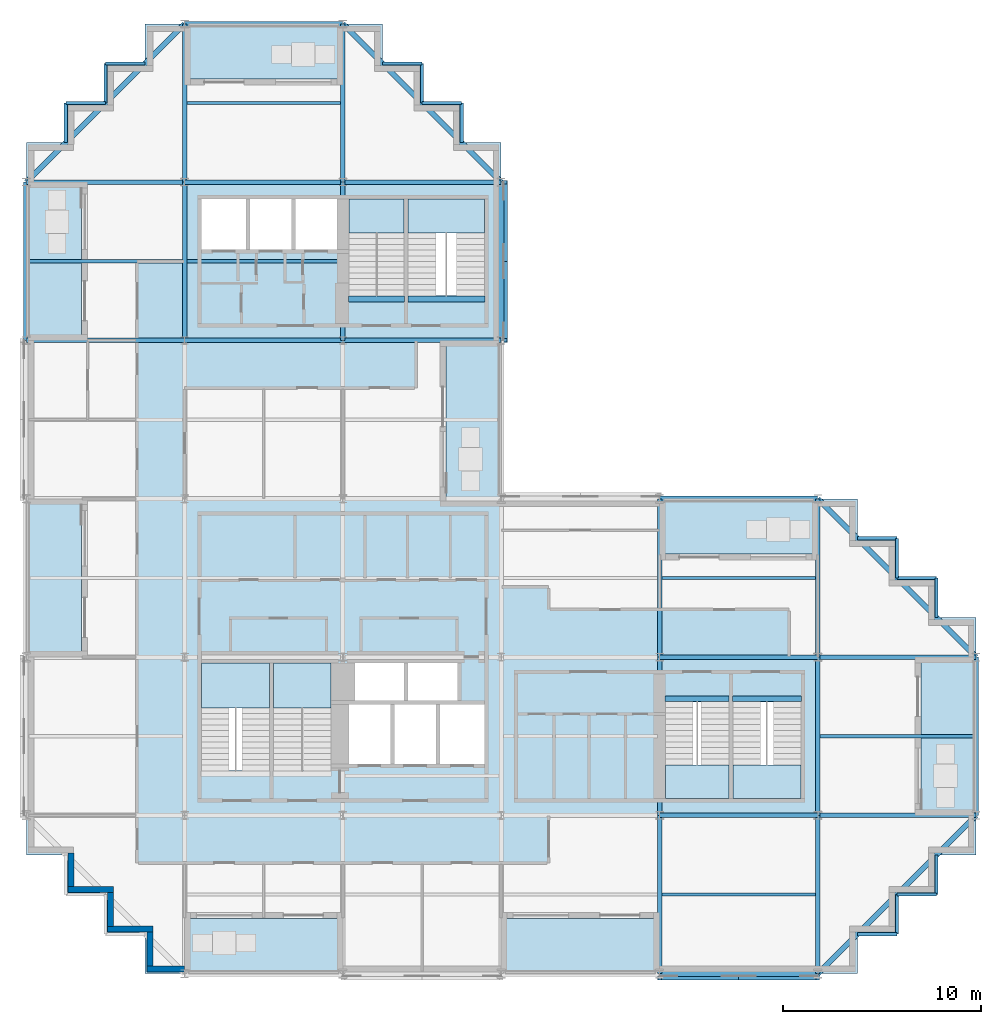
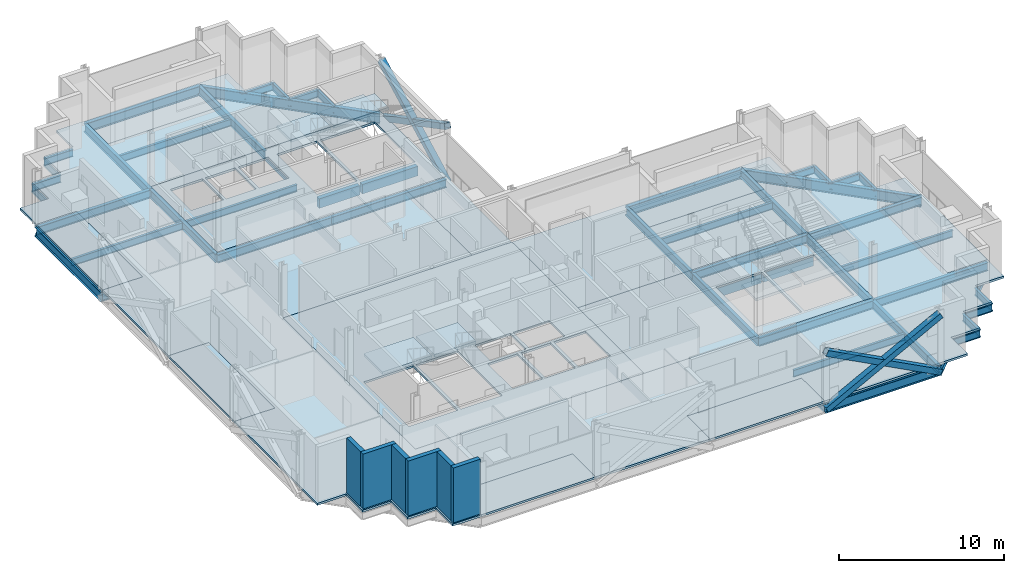
# One storey, part 3 of 12: 56 beams, 18 slabs, 6 walls, 4 members, 6 elements without a shape of their own.
"""IFC4 building model written with IfcOpenShell, lengths in metres."""

from ifc_helpers import new_model, si_unit, direction, frame, frame_2d, origin, origin_2d, place, context, subcontext, project, spatial, polyline, rectangle, hollow_rectangle, i_section, outline, extrude, material, layer, layer_set, material_profile, profile_set, type_object, element, aggregate, save


model = new_model("IFC4")

# Units and contexts
model_context = context("Model", 3, precision=1e-05, world=origin(), true_north=direction((0.0, 1.0)))
body_context = subcontext(model_context, "Body", "Model", "MODEL_VIEW")
ifc_project = project(units=[si_unit("LENGTHUNIT", "METRE"), si_unit("AREAUNIT", "SQUARE_METRE"), si_unit("VOLUMEUNIT", "CUBIC_METRE"), si_unit("PLANEANGLEUNIT", "RADIAN"), si_unit("MASSUNIT", "GRAM", prefix="KILO")], contexts=[model_context])

# Site, building, storey
site_placement = place(None, origin())
site = spatial("IfcSite", under=ifc_project, at=site_placement, CompositionType="ELEMENT")
building_placement = place(site_placement, origin())
building = spatial("IfcBuilding", under=site, at=building_placement, Name="Immortelle Media Tower", CompositionType="ELEMENT")
storey_placement = place(building_placement, frame((0.0, 0.0, 124.199951171875)))
storey = spatial("IfcBuildingStorey", under=building, at=storey_placement, Name="L24", CompositionType="ELEMENT", Elevation=124.199951171875)

# Members
ifc_material_1 = material(Name="Steel ASTM A500 Gr C", Category="steel")
ifc_material_profile_1 = material_profile(ifc_material_1, hollow_rectangle(XDim=0.406005859375, YDim=0.406005859375, WallThickness=0.011962890625, at=origin_2d()), Name="HSS16x16x1/2 brace")
ifc_profile_set_1 = profile_set([ifc_material_profile_1], Name="Steel ASTM A500 Gr C")
member_type = type_object("IfcMemberType", Name="HSS16x16x1/2 brace", PredefinedType="BRACE", material=ifc_profile_set_1)
for number, where, z_axis, x_axis, name in (
    (1, (32.0, -0.113037109375, -0.496337890625), (0.885400126936, 0.0, 0.464829662588), (0.0, 1.0, 0.0), "Brace A/5-6 A"),
    (2, (32.0, -0.113037109375, 3.70361328125), (0.885400126936, 0.0, -0.464829662588), (0.0, 1.0, 0.0), "Brace A/5-6 B"),
    (3, (24.113037109375, 32.0, -0.496337890625), (0.0, 0.885400126936, 0.464829662588), (-1.0, 0.0, 0.0), "Brace 4/E-F A"),
    (4, (24.113037109375, 32.0, 3.70361328125), (0.0, 0.885400126936, -0.464829662588), (-1.0, 0.0, 0.0), "Brace 4/E-F B"),
):
    element("IfcMember", number, at=place(storey_placement, frame(where, z_axis=z_axis, x_axis=x_axis)), inside=storey, type_object=member_type, Name=name, PredefinedType="BRACE", context=body_context, shape_type="SweptSolid", body=[
        extrude(hollow_rectangle(XDim=0.406005859375, YDim=0.406005859375, WallThickness=0.011962890625, at=origin_2d()), origin(), (0.0, 0.0, 1.0), 9.035400390625),
    ])

# Beams
ifc_material_2 = material(Name="Concrete C50/60", Category="concrete")
ifc_material_profile_2 = material_profile(ifc_material_2, rectangle(XDim=0.300048828125, YDim=0.699951171875, at=origin_2d()), Name="RC 300x700")
ifc_profile_set_2 = profile_set([ifc_material_profile_2], Name="Concrete C50/60")
beam_type_1 = type_object("IfcBeamType", Name="Stair trimmer beam 300 x 700", PredefinedType="BEAM", material=ifc_profile_set_2)
beam_1_placement = place(storey_placement, frame((32.280029296875, 13.89501953125, -0.5), z_axis=(1.0, 0.0, 0.0), x_axis=(0.0, 1.0, 0.0)))
element("IfcBeam", 5, at=beam_1_placement, inside=storey, type_object=beam_type_1, Name="Stair trimmer beam SE1", PredefinedType="BEAM", context=body_context, shape_type="SweptSolid", body=[
    extrude(rectangle(XDim=0.300048828125, YDim=0.699951171875, at=origin_2d()), origin(), (0.0, 0.0, 1.0), 3.239990234375),
])
beam_2_placement = place(storey_placement, frame((35.679931640625, 13.89501953125, -0.5), z_axis=(1.0, 0.0, 0.0), x_axis=(0.0, 1.0, 0.0)))
element("IfcBeam", 6, at=beam_2_placement, inside=storey, type_object=beam_type_1, Name="Stair trimmer beam SE2", PredefinedType="BEAM", context=body_context, shape_type="SweptSolid", body=[
    extrude(rectangle(XDim=0.300048828125, YDim=0.699951171875, at=origin_2d()), origin(), (0.0, 0.0, 1.0), 3.489990234375),
])
beam_3_placement = place(storey_placement, frame((16.280029296875, 34.10498046875, -0.5), z_axis=(1.0, 0.0, 0.0), x_axis=(0.0, 1.0, 0.0)))
element("IfcBeam", 7, at=beam_3_placement, inside=storey, type_object=beam_type_1, Name="Stair trimmer beam NW1", PredefinedType="BEAM", context=body_context, shape_type="SweptSolid", body=[
    extrude(rectangle(XDim=0.300048828125, YDim=0.699951171875, at=origin_2d()), origin(), (0.0, 0.0, 1.0), 2.840087890625),
])
beam_4_placement = place(storey_placement, frame((19.280029296875, 34.10498046875, -0.5), z_axis=(1.0, 0.0, 0.0), x_axis=(0.0, 1.0, 0.0)))
element("IfcBeam", 8, at=beam_4_placement, inside=storey, type_object=beam_type_1, Name="Stair trimmer beam NW2", PredefinedType="BEAM", context=body_context, shape_type="SweptSolid", body=[
    extrude(rectangle(XDim=0.300048828125, YDim=0.699951171875, at=origin_2d()), origin(), (0.0, 0.0, 1.0), 3.889892578125),
])
ifc_material_3 = material(Name="Steel ASTM A992 Gr 50", Category="steel")
ifc_material_profile_3 = material_profile(ifc_material_3, i_section(OverallWidth=0.1650390625, OverallDepth=0.52587890625, WebThickness=0.009033203125, FlangeThickness=0.010986328125, at=origin_2d()), Name="W21x44")
ifc_profile_set_3 = profile_set([ifc_material_profile_3], Name="Steel ASTM A992 Gr 50")
beam_type_2 = type_object("IfcBeamType", Name="W21x44 secondary beam", PredefinedType="JOIST", material=ifc_profile_set_3)
beam_5_placement = place(storey_placement, frame((32.114501953125, 4.0, -0.412841796875), z_axis=(1.0, 0.0, 0.0), x_axis=(0.0, 1.0, 0.0)))
element("IfcBeam", 9, at=beam_5_placement, inside=storey, type_object=beam_type_2, Name="Beam A-B/5-6", PredefinedType="JOIST", context=body_context, shape_type="SweptSolid", body=[
    extrude(i_section(OverallWidth=0.1650390625, OverallDepth=0.52587890625, WebThickness=0.009033203125, FlangeThickness=0.010986328125, at=origin_2d()), origin(), (0.0, 0.0, 1.0), 7.77099609375),
])
beam_6_placement = place(storey_placement, frame((40.114501953125, 12.0, -0.412841796875), z_axis=(1.0, 0.0, 0.0), x_axis=(0.0, 1.0, 0.0)))
element("IfcBeam", 10, at=beam_6_placement, inside=storey, type_object=beam_type_2, Name="Beam B-C/6-7", PredefinedType="JOIST", context=body_context, shape_type="SweptSolid", body=[
    extrude(i_section(OverallWidth=0.1650390625, OverallDepth=0.52587890625, WebThickness=0.009033203125, FlangeThickness=0.010986328125, at=origin_2d()), origin(), (0.0, 0.0, 1.0), 7.757080078125),
])
beam_7_placement = place(storey_placement, frame((32.114501953125, 20.0, -0.412841796875), z_axis=(1.0, 0.0, 0.0), x_axis=(0.0, 1.0, 0.0)))
element("IfcBeam", 11, at=beam_7_placement, inside=storey, type_object=beam_type_2, Name="Beam C-D/5-6", PredefinedType="JOIST", context=body_context, shape_type="SweptSolid", body=[
    extrude(i_section(OverallWidth=0.1650390625, OverallDepth=0.52587890625, WebThickness=0.009033203125, FlangeThickness=0.010986328125, at=origin_2d()), origin(), (0.0, 0.0, 1.0), 7.77099609375),
])
beam_8_placement = place(storey_placement, frame((0.12841796875, 36.0, -0.412841796875), z_axis=(1.0, 0.0, 0.0), x_axis=(0.0, 1.0, 0.0)))
element("IfcBeam", 12, at=beam_8_placement, inside=storey, type_object=beam_type_2, Name="Beam E-F/1-2", PredefinedType="JOIST", context=body_context, shape_type="SweptSolid", body=[
    extrude(i_section(OverallWidth=0.1650390625, OverallDepth=0.52587890625, WebThickness=0.009033203125, FlangeThickness=0.010986328125, at=origin_2d()), origin(), (0.0, 0.0, 1.0), 7.757080078125),
])
for number, where, z_axis, x_axis, name in (
    (13, (8.114501953125, 36.0, -0.412841796875), (1.0, 0.0, 0.0), (0.0, 1.0, 0.0), "Beam E-F/2-3"),
    (14, (8.114501953125, 44.0, -0.412841796875), (1.0, 0.0, 0.0), (0.0, 1.0, 0.0), "Beam F-G/2-3"),
):
    element("IfcBeam", number, at=place(storey_placement, frame(where, z_axis=z_axis, x_axis=x_axis)), inside=storey, type_object=beam_type_2, Name=name, PredefinedType="JOIST", context=body_context, shape_type="SweptSolid", body=[
        extrude(i_section(OverallWidth=0.1650390625, OverallDepth=0.52587890625, WebThickness=0.009033203125, FlangeThickness=0.010986328125, at=origin_2d()), origin(), (0.0, 0.0, 1.0), 7.77099609375),
    ])
ifc_material_profile_4 = material_profile(ifc_material_3, i_section(OverallWidth=0.1650390625, OverallDepth=0.52587890625, WebThickness=0.009033203125, FlangeThickness=0.010986328125, at=origin_2d()), Name="W21x44")
ifc_profile_set_4 = profile_set([ifc_material_profile_4], Name="Steel ASTM A992 Gr 50")
beam_type_3 = type_object("IfcBeamType", Name="W21x44 serration edge beam", PredefinedType="SPANDREL", material=ifc_profile_set_4)
for number, where, z_axis, x_axis, name in (
    (15, (2.0, 42.0, -0.412841796875), (0.0, 1.0, 0.0), (-1.0, 0.0, 0.0), "Corner edge beam 1 at 1/G"),
    (16, (2.0, 44.0, -0.412841796875), (1.0, 0.0, 0.0), (0.0, 1.0, 0.0), "Corner edge beam 2 at 1/G"),
    (17, (4.0, 44.0, -0.412841796875), (0.0, 1.0, 0.0), (-1.0, 0.0, 0.0), "Corner edge beam 3 at 1/G"),
    (18, (4.0, 46.0, -0.412841796875), (1.0, 0.0, 0.0), (0.0, 1.0, 0.0), "Corner edge beam 4 at 1/G"),
    (19, (18.0, 46.0, -0.412841796875), (1.0, 0.0, 0.0), (0.0, 1.0, 0.0), "Corner edge beam 1 at 4/G"),
    (20, (20.0, 46.0, -0.412841796875), (0.0, -1.0, 0.0), (1.0, 0.0, 0.0), "Corner edge beam 2 at 4/G"),
    (21, (20.0, 44.0, -0.412841796875), (1.0, 0.0, 0.0), (0.0, 1.0, 0.0), "Corner edge beam 3 at 4/G"),
    (22, (22.0, 44.0, -0.412841796875), (0.0, -1.0, 0.0), (1.0, 0.0, 0.0), "Corner edge beam 4 at 4/G"),
    (23, (46.0, 6.0, -0.412841796875), (0.0, -1.0, 0.0), (1.0, 0.0, 0.0), "Corner edge beam 1 at 7/A"),
    (24, (46.0, 4.0, -0.412841796875), (-1.0, 0.0, 0.0), (0.0, -1.0, 0.0), "Corner edge beam 2 at 7/A"),
    (25, (44.0, 4.0, -0.412841796875), (0.0, -1.0, 0.0), (1.0, 0.0, 0.0), "Corner edge beam 3 at 7/A"),
    (26, (44.0, 2.0, -0.412841796875), (-1.0, 0.0, 0.0), (0.0, -1.0, 0.0), "Corner edge beam 4 at 7/A"),
    (27, (42.0, 22.0, -0.412841796875), (1.0, 0.0, 0.0), (0.0, 1.0, 0.0), "Corner edge beam 1 at 7/D"),
    (28, (44.0, 22.0, -0.412841796875), (0.0, -1.0, 0.0), (1.0, 0.0, 0.0), "Corner edge beam 2 at 7/D"),
    (29, (44.0, 20.0, -0.412841796875), (1.0, 0.0, 0.0), (0.0, 1.0, 0.0), "Corner edge beam 3 at 7/D"),
    (30, (46.0, 20.0, -0.412841796875), (0.0, -1.0, 0.0), (1.0, 0.0, 0.0), "Corner edge beam 4 at 7/D"),
):
    element("IfcBeam", number, at=place(storey_placement, frame(where, z_axis=z_axis, x_axis=x_axis)), inside=storey, type_object=beam_type_3, Name=name, PredefinedType="SPANDREL", context=body_context, shape_type="SweptSolid", body=[
        extrude(i_section(OverallWidth=0.1650390625, OverallDepth=0.52587890625, WebThickness=0.009033203125, FlangeThickness=0.010986328125, at=origin_2d()), origin(), (0.0, 0.0, 1.0), 2.0),
    ])
ifc_material_profile_5 = material_profile(ifc_material_3, i_section(OverallWidth=0.22900390625, OverallDepth=0.612060546875, WebThickness=0.011962890625, FlangeThickness=0.02001953125, at=origin_2d()), Name="W24x84")
ifc_profile_set_5 = profile_set([ifc_material_profile_5], Name="Steel ASTM A992 Gr 50")
beam_type_4 = type_object("IfcBeamType", Name="W24x84 girder", PredefinedType="BEAM", material=ifc_profile_set_5)
for number, where, z_axis, x_axis, name in (
    (31, (0.0, 32.0, -0.4560546875), (1.0, 0.0, 0.0), (0.0, 1.0, 0.0), "Girder E/1-2"),
    (32, (0.0, 40.0, -0.4560546875), (1.0, 0.0, 0.0), (0.0, 1.0, 0.0), "Girder F/1-2"),
    (33, (8.0, 32.0, -0.4560546875), (1.0, 0.0, 0.0), (0.0, 1.0, 0.0), "Girder E/2-3"),
    (34, (8.0, 32.0, -0.4560546875), (0.0, 1.0, 0.0), (-1.0, 0.0, 0.0), "Girder 2/E-F"),
    (35, (8.0, 40.0, -0.4560546875), (1.0, 0.0, 0.0), (0.0, 1.0, 0.0), "Girder F/2-3"),
    (36, (8.0, 40.0, -0.4560546875), (0.0, 1.0, 0.0), (-1.0, 0.0, 0.0), "Girder 2/F-G"),
    (37, (16.0, 32.0, -0.4560546875), (1.0, 0.0, 0.0), (0.0, 1.0, 0.0), "Girder E/3-4"),
    (38, (16.0, 32.0, -0.4560546875), (0.0, 1.0, 0.0), (-1.0, 0.0, 0.0), "Girder 3/E-F"),
    (39, (16.0, 40.0, -0.4560546875), (1.0, 0.0, 0.0), (0.0, 1.0, 0.0), "Girder F/3-4"),
    (40, (16.0, 40.0, -0.4560546875), (0.0, 1.0, 0.0), (-1.0, 0.0, 0.0), "Girder 3/F-G"),
    (41, (32.0, 0.0, -0.4560546875), (0.0, 1.0, 0.0), (-1.0, 0.0, 0.0), "Girder 5/A-B"),
    (42, (32.0, 8.0, -0.4560546875), (1.0, 0.0, 0.0), (0.0, 1.0, 0.0), "Girder B/5-6"),
    (43, (32.0, 8.0, -0.4560546875), (0.0, 1.0, 0.0), (-1.0, 0.0, 0.0), "Girder 5/B-C"),
    (44, (32.0, 16.0, -0.4560546875), (1.0, 0.0, 0.0), (0.0, 1.0, 0.0), "Girder C/5-6"),
    (45, (32.0, 16.0, -0.4560546875), (0.0, 1.0, 0.0), (-1.0, 0.0, 0.0), "Girder 5/C-D"),
    (46, (40.0, 0.0, -0.4560546875), (0.0, 1.0, 0.0), (-1.0, 0.0, 0.0), "Girder 6/A-B"),
    (47, (40.0, 8.0, -0.4560546875), (1.0, 0.0, 0.0), (0.0, 1.0, 0.0), "Girder B/6-7"),
    (48, (40.0, 8.0, -0.4560546875), (0.0, 1.0, 0.0), (-1.0, 0.0, 0.0), "Girder 6/B-C"),
    (49, (40.0, 16.0, -0.4560546875), (1.0, 0.0, 0.0), (0.0, 1.0, 0.0), "Girder C/6-7"),
    (50, (40.0, 16.0, -0.4560546875), (0.0, 1.0, 0.0), (-1.0, 0.0, 0.0), "Girder 6/C-D"),
):
    element("IfcBeam", number, at=place(storey_placement, frame(where, z_axis=z_axis, x_axis=x_axis)), inside=storey, type_object=beam_type_4, Name=name, PredefinedType="BEAM", context=body_context, shape_type="SweptSolid", body=[
        extrude(i_section(OverallWidth=0.22900390625, OverallDepth=0.612060546875, WebThickness=0.011962890625, FlangeThickness=0.02001953125, at=origin_2d()), origin(), (0.0, 0.0, 1.0), 8.0),
    ])
ifc_material_profile_6 = material_profile(ifc_material_3, i_section(OverallWidth=0.257080078125, OverallDepth=0.693115234375, WebThickness=0.013916015625, FlangeThickness=0.02392578125, at=origin_2d()), Name="W27x114")
ifc_profile_set_6 = profile_set([ifc_material_profile_6], Name="Steel ASTM A992 Gr 50")
beam_type_5 = type_object("IfcBeamType", Name="W27x114 perimeter girder", PredefinedType="SPANDREL", material=ifc_profile_set_6)
for number, where, z_axis, x_axis, name in (
    (51, (0.0, 32.0, -0.496337890625), (0.0, 1.0, 0.0), (-1.0, 0.0, 0.0), "Girder 1/E-F"),
    (52, (8.0, 48.0, -0.496337890625), (1.0, 0.0, 0.0), (0.0, 1.0, 0.0), "Girder G/2-3"),
    (53, (24.0, 32.0, -0.496337890625), (0.0, 1.0, 0.0), (-1.0, 0.0, 0.0), "Girder 4/E-F"),
    (54, (32.0, 0.0, -0.496337890625), (1.0, 0.0, 0.0), (0.0, 1.0, 0.0), "Girder A/5-6"),
    (55, (32.0, 24.0, -0.496337890625), (1.0, 0.0, 0.0), (0.0, 1.0, 0.0), "Girder D/5-6"),
    (56, (48.0, 8.0, -0.496337890625), (0.0, 1.0, 0.0), (-1.0, 0.0, 0.0), "Girder 7/B-C"),
):
    element("IfcBeam", number, at=place(storey_placement, frame(where, z_axis=z_axis, x_axis=x_axis)), inside=storey, type_object=beam_type_5, Name=name, PredefinedType="SPANDREL", context=body_context, shape_type="SweptSolid", body=[
        extrude(i_section(OverallWidth=0.257080078125, OverallDepth=0.693115234375, WebThickness=0.013916015625, FlangeThickness=0.02392578125, at=origin_2d()), origin(), (0.0, 0.0, 1.0), 8.0),
    ])
ifc_material_profile_7 = material_profile(ifc_material_3, i_section(OverallWidth=0.26708984375, OverallDepth=0.761962890625, WebThickness=0.013916015625, FlangeThickness=0.02197265625, at=origin_2d()), Name="W30x116")
ifc_profile_set_7 = profile_set([ifc_material_profile_7], Name="Steel ASTM A992 Gr 50")
beam_type_6 = type_object("IfcBeamType", Name="W30x116 corner girder", PredefinedType="SPANDREL", material=ifc_profile_set_7)
for number, where, z_axis, x_axis, name in (
    (57, (0.0, 40.0, -0.531005859375), (0.707106781187, 0.707106781187, 0.0), (-0.707106781187, 0.707106781187, 0.0), "Corner girder at 1/G"),
    (58, (16.0, 48.0, -0.531005859375), (0.707106781187, -0.707106781187, 0.0), (0.707106781187, 0.707106781187, 0.0), "Corner girder at 4/G"),
    (59, (48.0, 8.0, -0.531005859375), (-0.707106781187, -0.707106781187, 0.0), (0.707106781187, -0.707106781187, 0.0), "Corner girder at 7/A"),
    (60, (40.0, 24.0, -0.531005859375), (0.707106781187, -0.707106781187, 0.0), (0.707106781187, 0.707106781187, 0.0), "Corner girder at 7/D"),
):
    element("IfcBeam", number, at=place(storey_placement, frame(where, z_axis=z_axis, x_axis=x_axis)), inside=storey, type_object=beam_type_6, Name=name, PredefinedType="SPANDREL", context=body_context, shape_type="SweptSolid", body=[
        extrude(i_section(OverallWidth=0.26708984375, OverallDepth=0.761962890625, WebThickness=0.013916015625, FlangeThickness=0.02197265625, at=origin_2d()), origin(), (0.0, 0.0, 1.0), 11.313720703125),
    ])

# Slabs
ifc_material_4 = material(Name="Concrete C50/60 composite deck", Category="concrete")
ifc_layer_1 = layer(ifc_material_4, 0.14990234375)
ifc_layer_set_1 = layer_set([ifc_layer_1], Name="Concrete C50/60 composite deck")
slab_type_1 = type_object("IfcSlabType", Name="Balcony slab 150", PredefinedType="FLOOR", material=ifc_layer_set_1)
slab_1_placement = place(storey_placement, frame((0.0, 0.0, -0.14990234375)))
element("IfcSlab", 61, at=slab_1_placement, inside=storey, type_object=slab_type_1, Name="Balcony slab L24 S0", PredefinedType="FLOOR", context=body_context, shape_type="SweptSolid", body=[
    extrude(outline(polyline([(16.0, 0.0), (16.0, 2.800048828125), (8.0, 2.800048828125), (8.0, 0.0), (16.0, 0.0)])), origin(), (0.0, 0.0, 1.0), 0.14990234375),
])
slab_2_placement = place(storey_placement, frame((0.0, 0.0, -0.14990234375)))
element("IfcSlab", 62, at=slab_2_placement, inside=storey, type_object=slab_type_1, Name="Balcony slab L24 S2", PredefinedType="FLOOR", context=body_context, shape_type="SweptSolid", body=[
    extrude(outline(polyline([(32.0, 0.0), (32.0, 2.800048828125), (24.0, 2.800048828125), (24.0, 0.0), (32.0, 0.0)])), origin(), (0.0, 0.0, 1.0), 0.14990234375),
])
slab_3_placement = place(storey_placement, frame((0.0, 0.0, -0.14990234375)))
element("IfcSlab", 63, at=slab_3_placement, inside=storey, type_object=slab_type_1, Name="Balcony slab L24 E0", PredefinedType="FLOOR", context=body_context, shape_type="SweptSolid", body=[
    extrude(outline(polyline([(48.0, 8.0), (48.0, 16.0), (45.199951171875, 16.0), (45.199951171875, 8.0), (48.0, 8.0)])), origin(), (0.0, 0.0, 1.0), 0.14990234375),
])
slab_4_placement = place(storey_placement, frame((0.0, 0.0, -0.14990234375)))
element("IfcSlab", 64, at=slab_4_placement, inside=storey, type_object=slab_type_1, Name="Balcony slab L24 N0", PredefinedType="FLOOR", context=body_context, shape_type="SweptSolid", body=[
    extrude(outline(polyline([(40.0, 21.199951171875), (40.0, 24.0), (32.0, 24.0), (32.0, 21.199951171875), (40.0, 21.199951171875)])), origin(), (0.0, 0.0, 1.0), 0.14990234375),
])
slab_5_placement = place(storey_placement, frame((0.0, 0.0, -0.14990234375)))
element("IfcSlab", 65, at=slab_5_placement, inside=storey, type_object=slab_type_1, Name="Balcony slab L24 E0", PredefinedType="FLOOR", context=body_context, shape_type="SweptSolid", body=[
    extrude(outline(polyline([(24.0, 24.0), (24.0, 32.0), (21.199951171875, 32.0), (21.199951171875, 24.0), (24.0, 24.0)])), origin(), (0.0, 0.0, 1.0), 0.14990234375),
])
slab_6_placement = place(storey_placement, frame((0.0, 0.0, -0.14990234375)))
element("IfcSlab", 66, at=slab_6_placement, inside=storey, type_object=slab_type_1, Name="Balcony slab L24 N0", PredefinedType="FLOOR", context=body_context, shape_type="SweptSolid", body=[
    extrude(outline(polyline([(16.0, 45.199951171875), (16.0, 48.0), (8.0, 48.0), (8.0, 45.199951171875), (16.0, 45.199951171875)])), origin(), (0.0, 0.0, 1.0), 0.14990234375),
])
slab_7_placement = place(storey_placement, frame((0.0, 0.0, -0.14990234375)))
element("IfcSlab", 67, at=slab_7_placement, inside=storey, type_object=slab_type_1, Name="Balcony slab L24 W0", PredefinedType="FLOOR", context=body_context, shape_type="SweptSolid", body=[
    extrude(outline(polyline([(2.800048828125, 32.0), (2.800048828125, 40.0), (0.0, 40.0), (0.0, 32.0), (2.800048828125, 32.0)])), origin(), (0.0, 0.0, 1.0), 0.14990234375),
])
slab_8_placement = place(storey_placement, frame((0.0, 0.0, -0.14990234375)))
element("IfcSlab", 68, at=slab_8_placement, inside=storey, type_object=slab_type_1, Name="Balcony slab L24 W2", PredefinedType="FLOOR", context=body_context, shape_type="SweptSolid", body=[
    extrude(outline(polyline([(2.800048828125, 16.0), (2.800048828125, 24.0), (0.0, 24.0), (0.0, 16.0), (2.800048828125, 16.0)])), origin(), (0.0, 0.0, 1.0), 0.14990234375),
])
ifc_layer_2 = layer(ifc_material_2, 0.14990234375)
ifc_layer_set_2 = layer_set([ifc_layer_2], Name="Concrete C50/60")
slab_type_2 = type_object("IfcSlabType", Name="Composite floor slab 150", PredefinedType="FLOOR", material=ifc_layer_set_2)
slab_9_placement = place(storey_placement, frame((0.0, 0.0, -0.14990234375)))
element("IfcSlab", 69, at=slab_9_placement, inside=storey, type_object=slab_type_2, Name="Floor slab L24", PredefinedType="FLOOR", context=body_context, shape_type="SweptSolid", body=[
    extrude(outline(polyline([(6.0, 0.0), (6.0, 2.0), (4.0, 2.0), (4.0, 4.0), (2.0, 4.0), (2.0, 6.0), (0.0, 6.0), (0.0, 16.0), (2.800048828125, 16.0), (2.800048828125, 24.0), (0.0, 24.0), (0.0, 32.0), (2.800048828125, 32.0), (2.800048828125, 40.0), (0.0, 40.0), (0.0, 42.0), (2.0, 42.0), (2.0, 44.0), (4.0, 44.0), (4.0, 46.0), (6.0, 46.0), (6.0, 48.0), (8.0, 48.0), (8.0, 45.199951171875), (16.0, 45.199951171875), (16.0, 48.0), (18.0, 48.0), (18.0, 46.0), (20.0, 46.0), (20.0, 44.0), (22.0, 44.0), (22.0, 42.0), (24.0, 42.0), (24.0, 40.0), (8.0, 40.0), (8.0, 32.0), (21.199951171875, 32.0), (21.199951171875, 24.0), (8.0, 24.0), (8.0, 8.0), (24.0, 8.0), (40.0, 8.0), (40.0, 16.0), (24.0, 16.0), (24.0, 24.0), (32.0, 24.0), (32.0, 21.199951171875), (40.0, 21.199951171875), (40.0, 24.0), (42.0, 24.0), (42.0, 22.0), (44.0, 22.0), (44.0, 20.0), (46.0, 20.0), (46.0, 18.0), (48.0, 18.0), (48.0, 16.0), (45.199951171875, 16.0), (45.199951171875, 8.0), (48.0, 8.0), (48.0, 6.0), (46.0, 6.0), (46.0, 4.0), (44.0, 4.0), (44.0, 2.0), (42.0, 2.0), (42.0, 0.0), (32.0, 0.0), (32.0, 2.800048828125), (24.0, 2.800048828125), (24.0, 0.0), (16.0, 0.0), (16.0, 2.800048828125), (8.0, 2.800048828125), (8.0, 0.0), (6.0, 0.0)])), origin(), (0.0, 0.0, 1.0), 0.14990234375),
])
ifc_layer_3 = layer(ifc_material_2, 0.14990234375)
ifc_layer_set_3 = layer_set([ifc_layer_3], Name="Concrete C50/60")
slab_type_3 = type_object("IfcSlabType", Name="Core floor slab 150", PredefinedType="FLOOR", material=ifc_layer_set_3)
slab_10_placement = place(storey_placement, frame((0.0, 0.0, -0.14990234375)))
element("IfcSlab", 70, at=slab_10_placement, inside=storey, type_object=slab_type_3, Name="Core floor SW", PredefinedType="FLOOR", context=body_context, shape_type="SweptSolid", body=[
    extrude(outline(polyline([(8.0, 8.0), (24.0, 8.0), (24.0, 24.0), (8.0, 24.0), (8.0, 8.0)]), holes=[polyline([(16.60009765625, 13.800048828125), (19.10009765625, 13.800048828125), (19.10009765625, 15.699951171875), (16.60009765625, 15.699951171875), (16.60009765625, 13.800048828125)]), polyline([(19.300048828125, 13.800048828125), (21.800048828125, 13.800048828125), (21.800048828125, 15.699951171875), (19.300048828125, 15.699951171875), (19.300048828125, 13.800048828125)]), polyline([(16.300048828125, 10.60009765625), (18.39990234375, 10.60009765625), (18.39990234375, 13.60009765625), (16.300048828125, 13.60009765625), (16.300048828125, 10.60009765625)]), polyline([(18.60009765625, 10.60009765625), (20.699951171875, 10.60009765625), (20.699951171875, 13.60009765625), (18.60009765625, 13.60009765625), (18.60009765625, 10.60009765625)]), polyline([(20.89990234375, 10.60009765625), (23.14990234375, 10.60009765625), (23.14990234375, 13.60009765625), (20.89990234375, 13.60009765625), (20.89990234375, 10.60009765625)]), polyline([(8.85009765625, 10.27001953125), (12.300048828125, 10.27001953125), (12.300048828125, 15.699951171875), (8.85009765625, 15.699951171875), (8.85009765625, 10.27001953125)]), polyline([(12.5, 10.27001953125), (15.39990234375, 10.27001953125), (15.39990234375, 15.699951171875), (12.5, 15.699951171875), (12.5, 10.27001953125)])]), origin(), (0.0, 0.0, 1.0), 0.14990234375),
])
slab_11_placement = place(storey_placement, frame((0.0, 0.0, -0.14990234375)))
element("IfcSlab", 71, at=slab_11_placement, inside=storey, type_object=slab_type_3, Name="Core floor SE", PredefinedType="FLOOR", context=body_context, shape_type="SweptSolid", body=[
    extrude(outline(polyline([(24.0, 8.0), (40.0, 8.0), (40.0, 16.0), (24.0, 16.0), (24.0, 8.0)]), holes=[polyline([(32.300048828125, 8.85009765625), (35.5, 8.85009765625), (35.5, 13.72998046875), (32.300048828125, 13.72998046875), (32.300048828125, 8.85009765625)]), polyline([(35.699951171875, 8.85009765625), (39.14990234375, 8.85009765625), (39.14990234375, 13.72998046875), (35.699951171875, 13.72998046875), (35.699951171875, 8.85009765625)])]), origin(), (0.0, 0.0, 1.0), 0.14990234375),
])
slab_12_placement = place(storey_placement, frame((0.0, 0.0, -0.14990234375)))
element("IfcSlab", 72, at=slab_12_placement, inside=storey, type_object=slab_type_3, Name="Core floor NW", PredefinedType="FLOOR", context=body_context, shape_type="SweptSolid", body=[
    extrude(outline(polyline([(8.0, 32.0), (24.0, 32.0), (24.0, 40.0), (8.0, 40.0), (8.0, 32.0)]), holes=[polyline([(8.85009765625, 36.60009765625), (11.10009765625, 36.60009765625), (11.10009765625, 39.14990234375), (8.85009765625, 39.14990234375), (8.85009765625, 36.60009765625)]), polyline([(11.300048828125, 36.60009765625), (13.39990234375, 36.60009765625), (13.39990234375, 39.14990234375), (11.300048828125, 39.14990234375), (11.300048828125, 36.60009765625)]), polyline([(13.60009765625, 36.60009765625), (15.699951171875, 36.60009765625), (15.699951171875, 39.14990234375), (13.60009765625, 39.14990234375), (13.60009765625, 36.60009765625)]), polyline([(16.300048828125, 34.27001953125), (19.10009765625, 34.27001953125), (19.10009765625, 39.14990234375), (16.300048828125, 39.14990234375), (16.300048828125, 34.27001953125)]), polyline([(19.300048828125, 34.27001953125), (23.14990234375, 34.27001953125), (23.14990234375, 39.14990234375), (19.300048828125, 39.14990234375), (19.300048828125, 34.27001953125)])]), origin(), (0.0, 0.0, 1.0), 0.14990234375),
])

# Stair, slab
stair_type = type_object("IfcStairType", Name="Stair with flights", PredefinedType="DOUBLE_RETURN_STAIR", material=ifc_material_3)
stair_1_placement = place(storey_placement, origin())
stair_1 = element("IfcStair", 73, at=stair_1_placement, inside=storey, type_object=stair_type, Name="Exit stair SW1", PredefinedType="DOUBLE_RETURN_STAIR")
ifc_material_5 = material(Name="Steel ASTM A572 Gr 50", Category="steel")
ifc_layer_4 = layer(ifc_material_5, 0.199951171875)
ifc_layer_set_4 = layer_set([ifc_layer_4], Name="Steel ASTM A572 Gr 50")
slab_type_4 = type_object("IfcSlabType", Name="Stair landing 200", PredefinedType="LANDING", material=ifc_layer_set_4)
slab_13_placement = place(storey_placement, frame((0.0, 0.0, 1.900146484375)))
slab_13 = element("IfcSlab", 74, at=slab_13_placement, type_object=slab_type_4, Name="ST SW1 landing 1", PredefinedType="LANDING", context=body_context, shape_type="SweptSolid", body=[
    extrude(outline(polyline([(8.85009765625, 13.43994140625), (12.300048828125, 13.43994140625), (12.300048828125, 15.699951171875), (8.85009765625, 15.699951171875), (8.85009765625, 13.43994140625)])), origin(), (0.0, 0.0, 1.0), 0.199951171875),
])
aggregate(stair_1, [slab_13])

stair_2_placement = place(storey_placement, origin())
stair_2 = element("IfcStair", 75, at=stair_2_placement, inside=storey, type_object=stair_type, Name="Exit stair SW2", PredefinedType="DOUBLE_RETURN_STAIR")
slab_14_placement = place(storey_placement, frame((0.0, 0.0, 1.900146484375)))
slab_14 = element("IfcSlab", 76, at=slab_14_placement, type_object=slab_type_4, Name="ST SW2 landing 1", PredefinedType="LANDING", context=body_context, shape_type="SweptSolid", body=[
    extrude(outline(polyline([(12.5, 13.43994140625), (15.39990234375, 13.43994140625), (15.39990234375, 15.699951171875), (12.5, 15.699951171875), (12.5, 13.43994140625)])), origin(), (0.0, 0.0, 1.0), 0.199951171875),
])
aggregate(stair_2, [slab_14])

stair_3_placement = place(storey_placement, origin())
stair_3 = element("IfcStair", 77, at=stair_3_placement, inside=storey, type_object=stair_type, Name="Exit stair SE1", PredefinedType="DOUBLE_RETURN_STAIR")
slab_15_placement = place(storey_placement, frame((0.0, 0.0, 1.900146484375)))
slab_15 = element("IfcSlab", 78, at=slab_15_placement, type_object=slab_type_4, Name="ST SE1 landing 1", PredefinedType="LANDING", context=body_context, shape_type="SweptSolid", body=[
    extrude(outline(polyline([(32.300048828125, 8.85009765625), (35.5, 8.85009765625), (35.5, 10.56005859375), (32.300048828125, 10.56005859375), (32.300048828125, 8.85009765625)])), origin(), (0.0, 0.0, 1.0), 0.199951171875),
])
aggregate(stair_3, [slab_15])

stair_4_placement = place(storey_placement, origin())
stair_4 = element("IfcStair", 79, at=stair_4_placement, inside=storey, type_object=stair_type, Name="Exit stair SE2", PredefinedType="DOUBLE_RETURN_STAIR")
slab_16_placement = place(storey_placement, frame((0.0, 0.0, 1.900146484375)))
slab_16 = element("IfcSlab", 80, at=slab_16_placement, type_object=slab_type_4, Name="ST SE2 landing 1", PredefinedType="LANDING", context=body_context, shape_type="SweptSolid", body=[
    extrude(outline(polyline([(35.699951171875, 8.85009765625), (39.14990234375, 8.85009765625), (39.14990234375, 10.56005859375), (35.699951171875, 10.56005859375), (35.699951171875, 8.85009765625)])), origin(), (0.0, 0.0, 1.0), 0.199951171875),
])
aggregate(stair_4, [slab_16])

stair_5_placement = place(storey_placement, origin())
stair_5 = element("IfcStair", 81, at=stair_5_placement, inside=storey, type_object=stair_type, Name="Exit stair NW1", PredefinedType="DOUBLE_RETURN_STAIR")
slab_17_placement = place(storey_placement, frame((0.0, 0.0, 1.900146484375)))
slab_17 = element("IfcSlab", 82, at=slab_17_placement, type_object=slab_type_4, Name="ST NW1 landing 1", PredefinedType="LANDING", context=body_context, shape_type="SweptSolid", body=[
    extrude(outline(polyline([(16.300048828125, 37.43994140625), (19.10009765625, 37.43994140625), (19.10009765625, 39.14990234375), (16.300048828125, 39.14990234375), (16.300048828125, 37.43994140625)])), origin(), (0.0, 0.0, 1.0), 0.199951171875),
])
aggregate(stair_5, [slab_17])

stair_6_placement = place(storey_placement, origin())
stair_6 = element("IfcStair", 83, at=stair_6_placement, inside=storey, type_object=stair_type, Name="Exit stair NW2", PredefinedType="DOUBLE_RETURN_STAIR")
slab_18_placement = place(storey_placement, frame((0.0, 0.0, 1.900146484375)))
slab_18 = element("IfcSlab", 84, at=slab_18_placement, type_object=slab_type_4, Name="ST NW2 landing 1", PredefinedType="LANDING", context=body_context, shape_type="SweptSolid", body=[
    extrude(outline(polyline([(19.300048828125, 37.43994140625), (23.14990234375, 37.43994140625), (23.14990234375, 39.14990234375), (19.300048828125, 39.14990234375), (19.300048828125, 37.43994140625)])), origin(), (0.0, 0.0, 1.0), 0.199951171875),
])
aggregate(stair_6, [slab_18])

# Walls
ifc_material_6 = material(Name="Pale aluminium cladding panel", Category="aluminium")
ifc_layer_5 = layer(ifc_material_6, 0.030029296875)
ifc_material_7 = material(Name="Steel ASTM A653 SS Gr 50 stud frame with mineral wool", Category="steel")
ifc_layer_6 = layer(ifc_material_7, 0.257568359375)
ifc_material_8 = material(Name="Moisture-resistant gypsum board", Category="gypsum")
ifc_layer_7 = layer(ifc_material_8, 0.012451171875)
ifc_layer_set_5 = layer_set([ifc_layer_5, ifc_layer_6, ifc_layer_7], Name="Steel ASTM A653 SS Gr 50 stud frame with mineral wool")
wall_type = type_object("IfcWallType", Name="Facade wall 300", PredefinedType="SOLIDWALL", material=ifc_layer_set_5)
wall_1_placement = place(storey_placement, frame((2.25, 6.10009765625, 0.0), z_axis=(0.0, 0.0, 1.0), x_axis=(0.0, -1.0, 0.0)))
element("IfcWall", 85, at=wall_1_placement, inside=storey, type_object=wall_type, Name="Facade wall L24 W1", PredefinedType="SOLIDWALL", context=body_context, shape_type="SweptSolid", body=[
    extrude(rectangle(XDim=1.7001953125, YDim=0.300048828125, at=frame_2d((0.85009765625, 0.0))), origin(), (0.0, 0.0, 1.0), 4.050048828125),
])
wall_2_placement = place(storey_placement, frame((2.10009765625, 4.25, 0.0), z_axis=(0.0, 0.0, 1.0), x_axis=(1.0, 0.0, 0.0)))
element("IfcWall", 86, at=wall_2_placement, inside=storey, type_object=wall_type, Name="Facade wall L24 S2", PredefinedType="SOLIDWALL", context=body_context, shape_type="SweptSolid", body=[
    extrude(rectangle(XDim=2.2998046875, YDim=0.300048828125, at=frame_2d((1.14990234375, 0.0))), origin(), (0.0, 0.0, 1.0), 4.050048828125),
])
wall_3_placement = place(storey_placement, frame((4.25, 4.10009765625, 0.0), z_axis=(0.0, 0.0, 1.0), x_axis=(0.0, -1.0, 0.0)))
element("IfcWall", 87, at=wall_3_placement, inside=storey, type_object=wall_type, Name="Facade wall L24 W3", PredefinedType="SOLIDWALL", context=body_context, shape_type="SweptSolid", body=[
    extrude(rectangle(XDim=1.7001953125, YDim=0.300048828125, at=frame_2d((0.85009765625, 0.0))), origin(), (0.0, 0.0, 1.0), 4.050048828125),
])
wall_4_placement = place(storey_placement, frame((4.10009765625, 2.25, 0.0), z_axis=(0.0, 0.0, 1.0), x_axis=(1.0, 0.0, 0.0)))
element("IfcWall", 88, at=wall_4_placement, inside=storey, type_object=wall_type, Name="Facade wall L24 S4", PredefinedType="SOLIDWALL", context=body_context, shape_type="SweptSolid", body=[
    extrude(rectangle(XDim=2.2998046875, YDim=0.300048828125, at=frame_2d((1.14990234375, 0.0))), origin(), (0.0, 0.0, 1.0), 4.050048828125),
])
wall_5_placement = place(storey_placement, frame((6.25, 2.10009765625, 0.0), z_axis=(0.0, 0.0, 1.0), x_axis=(0.0, -1.0, 0.0)))
element("IfcWall", 89, at=wall_5_placement, inside=storey, type_object=wall_type, Name="Facade wall L24 W5", PredefinedType="SOLIDWALL", context=body_context, shape_type="SweptSolid", body=[
    extrude(rectangle(XDim=1.7001953125, YDim=0.300048828125, at=frame_2d((0.85009765625, 0.0))), origin(), (0.0, 0.0, 1.0), 4.050048828125),
])
wall_6_placement = place(storey_placement, frame((6.10009765625, 0.25, 0.0), z_axis=(0.0, 0.0, 1.0), x_axis=(1.0, 0.0, 0.0)))
element("IfcWall", 90, at=wall_6_placement, inside=storey, type_object=wall_type, Name="Facade wall L24 S6", PredefinedType="SOLIDWALL", context=body_context, shape_type="SweptSolid", body=[
    extrude(rectangle(XDim=1.89990234375, YDim=0.300048828125, at=frame_2d((0.949951171875, 0.0))), origin(), (0.0, 0.0, 1.0), 4.050048828125),
])

save(model, "model.ifc")
